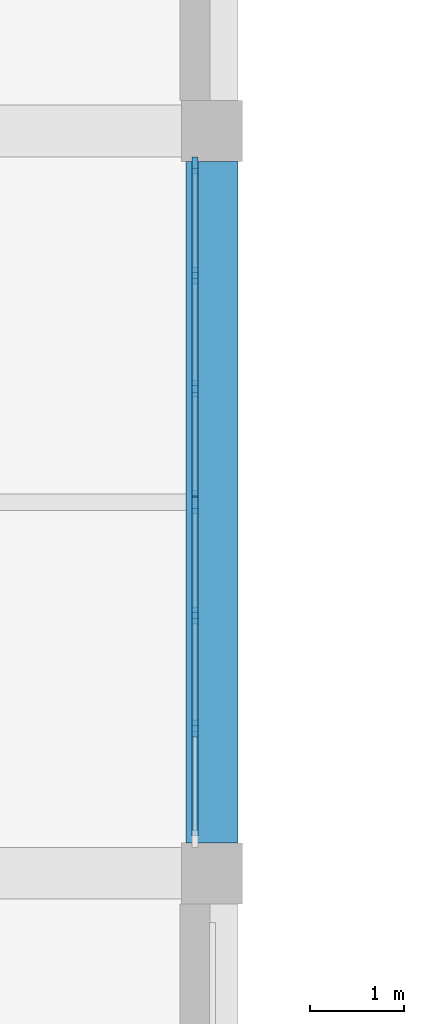
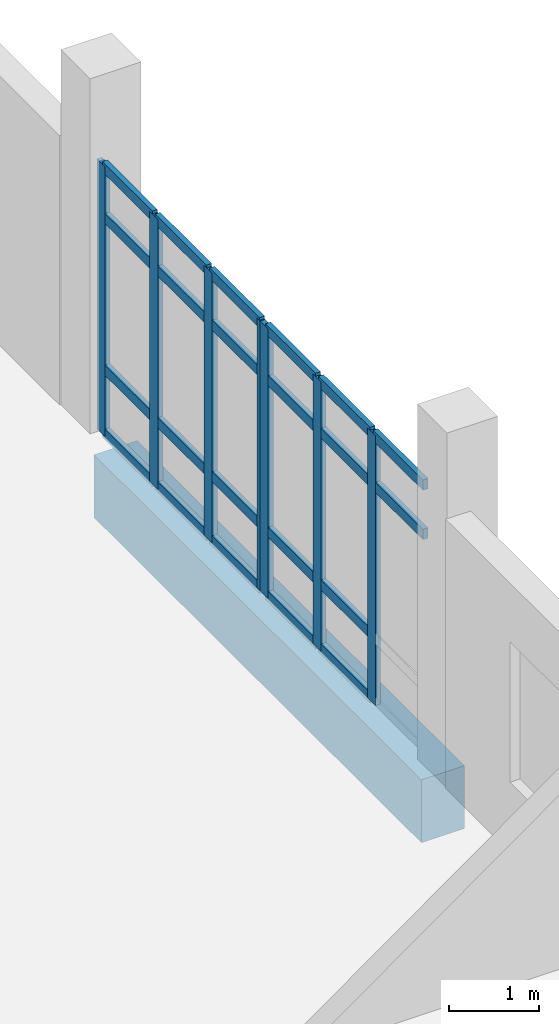
# One storey, part 11 of 90: 29 members, 1 beam, 2 elements without a shape of their own.
"""IFC4 building model written with IfcOpenShell, lengths in metres."""

import ifcopenshell
import ifcopenshell.guid

model = None  # the IFC model being written
_history = None  # IfcOwnerHistory: only IFC2X3 demands one
_inside = {}  # id of a spatial element -> (the spatial element, [elements in it])
_under = {}  # id of a project, library or spatial element -> (it, [spatial elements below it])
_declared = {}  # id of a project -> (the project, [libraries it declares])
_typed = {}  # id of a type object -> (the type object, [elements of that type])
_made_of = {}  # id of a material, layer set ... -> (it, [elements and type objects made of it])


def new_model(schema):
    """Start an empty IFC model of exactly this schema.

    Asked for "IFC4X3", IfcOpenShell would pick the latest addendum, in which some entities
    have other attributes; the version numbers below select the first issue.
    IFC2X3 requires an IfcOwnerHistory on every rooted entity: one is made here for all.
    """
    global model, _history
    if schema == "IFC4X3":
        model = ifcopenshell.file(schema_version=(4, 3, 0, 0))
    else:
        model = ifcopenshell.file(schema=schema)
    _inside.clear()
    _under.clear()
    _declared.clear()
    _typed.clear()
    _made_of.clear()
    _history = None
    if model.schema == "IFC2X3":
        org = make("IfcOrganization", Name="unknown")
        user = make(
            "IfcPersonAndOrganization",
            ThePerson=make("IfcPerson", FamilyName="unknown"),
            TheOrganization=org,
        )
        app = make(
            "IfcApplication",
            ApplicationDeveloper=org,
            Version="unknown",
            ApplicationFullName="unknown",
            ApplicationIdentifier="unknown",
        )
        _history = make(
            "IfcOwnerHistory",
            OwningUser=user,
            OwningApplication=app,
            ChangeAction="ADDED",
            CreationDate=0,
        )
    return model


def make(cls, **values):
    """One entity of the class cls with the attributes given. An attribute that is None is left unset."""
    return model.create_entity(
        cls, **{name: value for name, value in values.items() if value is not None}
    )


def rooted(cls, **values):
    """An entity with a GlobalId (a new one), such as an element, a storey or a relation."""
    return make(cls, GlobalId=ifcopenshell.guid.new(), OwnerHistory=_history, **values)


def si_unit(unit_type, name, prefix=None):
    """IfcSIUnit, for example si_unit("LENGTHUNIT", "METRE", prefix="MILLI")."""
    return make("IfcSIUnit", UnitType=unit_type, Prefix=prefix, Name=name)


def assignment(units):
    """IfcUnitAssignment: the units of a project."""
    return None if units is None else make("IfcUnitAssignment", Units=units)


def point(xyz):
    """IfcCartesianPoint."""
    return None if xyz is None else make("IfcCartesianPoint", Coordinates=xyz)


def direction(xyz):
    """IfcDirection."""
    return None if xyz is None else make("IfcDirection", DirectionRatios=xyz)


def frame(location, z_axis=None, x_axis=None):
    """IfcAxis2Placement3D, a coordinate frame: its origin and axes. An axis left out is left unset."""
    return make(
        "IfcAxis2Placement3D",
        Location=point(location),
        Axis=direction(z_axis),
        RefDirection=direction(x_axis),
    )


def frame_2d(location, x_axis=None):
    """IfcAxis2Placement2D, a coordinate frame in the plane: its origin and x axis."""
    return make(
        "IfcAxis2Placement2D", Location=point(location), RefDirection=direction(x_axis)
    )


def origin():
    """The frame at (0, 0, 0) with its axes left unset."""
    return frame((0.0, 0.0, 0.0))


def origin_2d():
    """The frame at (0, 0) in the plane with its x axis left unset."""
    return frame_2d((0.0, 0.0))


def place(relative_to, where):
    """IfcLocalPlacement: puts the frame where relative to a parent placement (None: the world)."""
    return make(
        "IfcLocalPlacement", PlacementRelTo=relative_to, RelativePlacement=where
    )


def context(
    kind, dimensions, precision=None, world=None, true_north=None, identifier=None
):
    """IfcGeometricRepresentationContext, for example the 3D "Model" context."""
    return make(
        "IfcGeometricRepresentationContext",
        ContextIdentifier=identifier,
        ContextType=kind,
        CoordinateSpaceDimension=dimensions,
        Precision=precision,
        WorldCoordinateSystem=world,
        TrueNorth=true_north,
    )


def subcontext(parent, identifier, kind, view, scale=None):
    """IfcGeometricRepresentationSubContext, for example "Body" below "Model"."""
    return make(
        "IfcGeometricRepresentationSubContext",
        ContextIdentifier=identifier,
        ContextType=kind,
        ParentContext=parent,
        TargetScale=scale,
        TargetView=view,
    )


def project(units=None, contexts=None):
    """IfcProject with its units and contexts."""
    return rooted(
        "IfcProject",
        Name="project",
        RepresentationContexts=contexts,
        UnitsInContext=assignment(units),
    )


def spatial(cls, under=None, at=None, **own):
    """A site, building, storey or space (cls), placed at a placement, below another one or the project."""
    s = rooted(cls, ObjectPlacement=at, **own)
    if under is not None:
        _under.setdefault(under.id(), (under, []))[1].append(s)
    return s


def profile(cls, at=None, kind="AREA", **sizes):
    """A parametric profile (cls). Its sizes go by their IFC names, for example OverallWidth=200.0."""
    return make(cls, ProfileType=kind, Position=at, **sizes)


def rectangle(**sizes):
    """IfcRectangleProfileDef."""
    return profile("IfcRectangleProfileDef", **sizes)


def extrude(swept, where, along, depth):
    """IfcExtrudedAreaSolid: the profile swept, set in the frame where, extruded along a direction by depth."""
    return make(
        "IfcExtrudedAreaSolid",
        SweptArea=swept,
        Position=where,
        ExtrudedDirection=direction(along),
        Depth=depth,
    )


def shape(context_of_items, identifier, shape_type, items):
    """IfcShapeRepresentation: the items that make up one representation, for example the "Body"."""
    return make(
        "IfcShapeRepresentation",
        ContextOfItems=context_of_items,
        RepresentationIdentifier=identifier,
        RepresentationType=shape_type,
        Items=items,
    )


def material(Name=None, Category=None):
    """IfcMaterial."""
    return make("IfcMaterial", Name=Name, Category=Category)


def layer(
    of_material, thickness, ventilated=None, Name=None, Category=None, Priority=None
):
    """IfcMaterialLayer: one layer of a wall or slab, of a material (None: an air gap)."""
    return make(
        "IfcMaterialLayer",
        Material=of_material,
        LayerThickness=thickness,
        IsVentilated=ventilated,
        Name=Name,
        Category=Category,
        Priority=Priority,
    )


def layer_set(layers, Name=None):
    """IfcMaterialLayerSet."""
    return make("IfcMaterialLayerSet", MaterialLayers=layers, LayerSetName=Name)


def material_profile(
    of_material, cross_section, Name=None, Category=None, Priority=None
):
    """IfcMaterialProfile: a cross section and its material."""
    return make(
        "IfcMaterialProfile",
        Name=Name,
        Material=of_material,
        Profile=cross_section,
        Priority=Priority,
        Category=Category,
    )


def profile_set(profiles, Name=None, composite=None):
    """IfcMaterialProfileSet."""
    return make(
        "IfcMaterialProfileSet",
        Name=Name,
        MaterialProfiles=profiles,
        CompositeProfile=composite,
    )


def made_of(thing, what):
    """Note that an element or type object is made of a material, layer set ...; save() writes the relation."""
    if what is not None:
        _made_of.setdefault(what.id(), (what, []))[1].append(thing)
    return thing


def type_object(cls, material=None, **own):
    """A type object (cls), such as IfcWallType, which elements share."""
    return made_of(rooted(cls, **own), material)


def element(
    cls,
    number,
    at=None,
    inside=None,
    cuts=None,
    type_object=None,
    material=None,
    context=None,
    identifier="Body",
    shape_type=None,
    held_by="IfcProductDefinitionShape",
    body=None,
    shapes=None,
    **own,
):
    """One element of the class cls, such as IfcWall. Its Tag is "e" and its number.

    at: its placement. inside: the storey or other place that contains it. cuts: it is an
    opening in that element (IfcRelVoidsElement). A single representation is given by context,
    identifier, shape_type and body (its items); several are given by shapes. held_by: the class
    of the entity that holds the representations. save() writes the other relations.
    """
    e = rooted(cls, Tag="e%d" % number, ObjectPlacement=at, **own)
    if body is not None:
        shapes = [shape(context, identifier, shape_type, body)]
    if shapes is not None:
        e.Representation = make(held_by, Representations=shapes)
    if inside is not None:
        _inside.setdefault(inside.id(), (inside, []))[1].append(e)
    if cuts is not None:
        rooted(
            "IfcRelVoidsElement", RelatingBuildingElement=cuts, RelatedOpeningElement=e
        )
    if type_object is not None:
        _typed.setdefault(type_object.id(), (type_object, []))[1].append(e)
    return made_of(e, material)


def aggregate(whole, parts):
    """IfcRelAggregates: a whole, such as a stair, and the parts it consists of."""
    return rooted("IfcRelAggregates", RelatingObject=whole, RelatedObjects=parts)


def save(model, path):
    """Write the relations noted so far, then the file.

    IfcRelAggregates (storeys below a building ...), IfcRelContainedInSpatialStructure (elements
    in a storey), IfcRelDefinesByType, IfcRelAssociatesMaterial and IfcRelDeclares: one each for
    every whole, place, type object, material and project.
    """
    for whole, parts in _under.values():
        aggregate(whole, parts)
    for where, things in _inside.values():
        rooted(
            "IfcRelContainedInSpatialStructure",
            RelatedElements=things,
            RelatingStructure=where,
        )
    for kind, things in _typed.values():
        rooted("IfcRelDefinesByType", RelatedObjects=things, RelatingType=kind)
    for what, things in _made_of.values():
        rooted("IfcRelAssociatesMaterial", RelatedObjects=things, RelatingMaterial=what)
    for by, libraries in _declared.values():
        rooted("IfcRelDeclares", RelatingContext=by, RelatedDefinitions=libraries)
    model.write(path)


model = new_model("IFC4")

# Units and contexts
model_context = context("Model", 3, precision=1e-05, world=origin(), true_north=direction((0.0, 1.0)))
body_context = subcontext(model_context, "Body", "Model", "MODEL_VIEW")
ifc_project = project(units=[si_unit("LENGTHUNIT", "METRE"), si_unit("AREAUNIT", "SQUARE_METRE"), si_unit("VOLUMEUNIT", "CUBIC_METRE"), si_unit("PLANEANGLEUNIT", "RADIAN"), si_unit("MASSUNIT", "GRAM", prefix="KILO")], contexts=[model_context])

# Site, building, storey
site_placement = place(None, origin())
site = spatial("IfcSite", under=ifc_project, at=site_placement, CompositionType="ELEMENT")
building_placement = place(site_placement, origin())
building = spatial("IfcBuilding", under=site, at=building_placement, Name="Kelarvand Opera House", CompositionType="ELEMENT")
storey_placement = place(building_placement, frame((0.0, 0.0, 5.39990234375)))
storey = spatial("IfcBuildingStorey", under=building, at=storey_placement, Name="L01", CompositionType="ELEMENT", Elevation=5.39990234375)

# Curtain wall, members
ifc_material_1 = material(Name="Thermally broken aluminium and low-E glazing", Category="aluminium")
ifc_layer = layer(ifc_material_1, 0.179931640625, Name="Thermally broken aluminium and low-E glazing", Category="aluminium")
ifc_layer_set = layer_set([ifc_layer], Name="Thermally broken aluminium and low-E glazing")
curtain_wall_type = type_object("IfcCurtainWallType", Name="Unitised Low-E Curtain Wall 3611x3650 Mod 1350 CWF-31", PredefinedType="USERDEFINED", material=ifc_layer_set)
curtain_wall_1_placement = place(storey_placement, origin())
curtain_wall_1 = element("IfcCurtainWall", 1, at=curtain_wall_1_placement, inside=storey, type_object=curtain_wall_type, Name="V4 L01 Curtain Wall CWF-31 (145)", ObjectType="UNITISED CURTAIN WALL", PredefinedType="USERDEFINED")
ifc_material_2 = material(Name="Thermally broken anodised aluminium", Category="aluminium")
ifc_material_profile_1 = material_profile(ifc_material_2, rectangle(XDim=0.06494140625, YDim=0.179931640625, at=origin_2d()), Name="ALU MULLION 65x180", Category="aluminium")
ifc_profile_set_1 = profile_set([ifc_material_profile_1], Name="Thermally broken anodised aluminium")
member_type_1 = type_object("IfcMemberType", Name="Curtain Wall Mullion 65x180 Aluminium", PredefinedType="MULLION", material=ifc_profile_set_1)
member_1_placement = place(storey_placement, frame((25.6201171875, 70.032470703125, 0.0), z_axis=(0.0, 0.0, 1.0), x_axis=(1.0, 0.0, 0.0)))
member_1 = element("IfcMember", 2, at=member_1_placement, type_object=member_type_1, Name="CWF-31 mullion 1", PredefinedType="MULLION", context=body_context, shape_type="SweptSolid", body=[
    extrude(rectangle(XDim=0.06494140625, YDim=0.179931640625, at=origin_2d()), origin(), (0.0, 0.0, 1.0), 3.650146484375),
])
member_2_placement = place(storey_placement, frame((25.6201171875, 68.861328125, 0.0), z_axis=(0.0, 0.0, 1.0), x_axis=(1.0, 0.0, 0.0)))
member_2 = element("IfcMember", 3, at=member_2_placement, type_object=member_type_1, Name="CWF-31 mullion 2", PredefinedType="MULLION", context=body_context, shape_type="SweptSolid", body=[
    extrude(rectangle(XDim=0.06494140625, YDim=0.179931640625, at=origin_2d()), origin(), (0.0, 0.0, 1.0), 3.650146484375),
])
member_3_placement = place(storey_placement, frame((25.6201171875, 67.65771484375, 0.0), z_axis=(0.0, 0.0, 1.0), x_axis=(1.0, 0.0, 0.0)))
member_3 = element("IfcMember", 4, at=member_3_placement, type_object=member_type_1, Name="CWF-31 mullion 3", PredefinedType="MULLION", context=body_context, shape_type="SweptSolid", body=[
    extrude(rectangle(XDim=0.06494140625, YDim=0.179931640625, at=origin_2d()), origin(), (0.0, 0.0, 1.0), 3.650146484375),
])
member_4_placement = place(storey_placement, frame((25.6201171875, 66.486572265625, 0.0), z_axis=(0.0, 0.0, 1.0), x_axis=(1.0, 0.0, 0.0)))
member_4 = element("IfcMember", 5, at=member_4_placement, type_object=member_type_1, Name="CWF-31 mullion 4", PredefinedType="MULLION", context=body_context, shape_type="SweptSolid", body=[
    extrude(rectangle(XDim=0.06494140625, YDim=0.179931640625, at=origin_2d()), origin(), (0.0, 0.0, 1.0), 3.650146484375),
])

curtain_wall_2_placement = place(storey_placement, origin())
curtain_wall_2 = element("IfcCurtainWall", 6, at=curtain_wall_2_placement, inside=storey, type_object=curtain_wall_type, Name="V4 L01 Curtain Wall CWF-31 (146)", ObjectType="UNITISED CURTAIN WALL", PredefinedType="USERDEFINED")
member_5_placement = place(storey_placement, frame((25.6201171875, 66.41748046875, 0.0), z_axis=(0.0, 0.0, 1.0), x_axis=(1.0, 0.0, 0.0)))
member_5 = element("IfcMember", 7, at=member_5_placement, type_object=member_type_1, Name="CWF-31 mullion 1", PredefinedType="MULLION", context=body_context, shape_type="SweptSolid", body=[
    extrude(rectangle(XDim=0.06494140625, YDim=0.179931640625, at=origin_2d()), origin(), (0.0, 0.0, 1.0), 3.650146484375),
])
member_6_placement = place(storey_placement, frame((25.6201171875, 65.2451171875, 0.0), z_axis=(0.0, 0.0, 1.0), x_axis=(1.0, 0.0, 0.0)))
member_6 = element("IfcMember", 8, at=member_6_placement, type_object=member_type_1, Name="CWF-31 mullion 2", PredefinedType="MULLION", context=body_context, shape_type="SweptSolid", body=[
    extrude(rectangle(XDim=0.06494140625, YDim=0.179931640625, at=origin_2d()), origin(), (0.0, 0.0, 1.0), 3.650146484375),
])
member_7_placement = place(storey_placement, frame((25.6201171875, 64.0400390625, 0.0), z_axis=(0.0, 0.0, 1.0), x_axis=(1.0, 0.0, 0.0)))
member_7 = element("IfcMember", 9, at=member_7_placement, type_object=member_type_1, Name="CWF-31 mullion 3", PredefinedType="MULLION", context=body_context, shape_type="SweptSolid", body=[
    extrude(rectangle(XDim=0.06494140625, YDim=0.179931640625, at=origin_2d()), origin(), (0.0, 0.0, 1.0), 3.650146484375),
])

# Member
ifc_material_profile_2 = material_profile(ifc_material_2, rectangle(XDim=0.06494140625, YDim=0.139892578125, at=origin_2d()), Name="ALU TRANSOM 65x140", Category="aluminium")
ifc_profile_set_2 = profile_set([ifc_material_profile_2], Name="Thermally broken anodised aluminium")
member_type_2 = type_object("IfcMemberType", Name="Curtain Wall Transom 65x140 Aluminium", PredefinedType="USERDEFINED", material=ifc_profile_set_2)
member_8_placement = place(storey_placement, frame((25.6201171875, 70.0, 0.03271484375), z_axis=(0.0, -1.0, 0.0), x_axis=(1.0, 0.0, 0.0)))
member_8 = element("IfcMember", 10, at=member_8_placement, type_object=member_type_2, Name="CWF-31 transom 1.1", ObjectType="TRANSOM", PredefinedType="USERDEFINED", context=body_context, shape_type="SweptSolid", body=[
    extrude(rectangle(XDim=0.06494140625, YDim=0.139892578125, at=origin_2d()), origin(), (0.0, 0.0, 1.0), 1.106201171875),
])

member_9_placement = place(storey_placement, frame((25.6201171875, 70.0, 0.900146484375), z_axis=(0.0, -1.0, 0.0), x_axis=(1.0, 0.0, 0.0)))
member_9 = element("IfcMember", 11, at=member_9_placement, type_object=member_type_2, Name="CWF-31 transom 1.2", ObjectType="TRANSOM", PredefinedType="USERDEFINED", context=body_context, shape_type="SweptSolid", body=[
    extrude(rectangle(XDim=0.06494140625, YDim=0.139892578125, at=origin_2d()), origin(), (0.0, 0.0, 1.0), 1.106201171875),
])

member_10_placement = place(storey_placement, frame((25.6201171875, 70.0, 2.9501953125), z_axis=(0.0, -1.0, 0.0), x_axis=(1.0, 0.0, 0.0)))
member_10 = element("IfcMember", 12, at=member_10_placement, type_object=member_type_2, Name="CWF-31 transom 1.3", ObjectType="TRANSOM", PredefinedType="USERDEFINED", context=body_context, shape_type="SweptSolid", body=[
    extrude(rectangle(XDim=0.06494140625, YDim=0.139892578125, at=origin_2d()), origin(), (0.0, 0.0, 1.0), 1.106201171875),
])

member_11_placement = place(storey_placement, frame((25.6201171875, 70.0, 3.61767578125), z_axis=(0.0, -1.0, 0.0), x_axis=(1.0, 0.0, 0.0)))
member_11 = element("IfcMember", 13, at=member_11_placement, type_object=member_type_2, Name="CWF-31 transom 1.4", ObjectType="TRANSOM", PredefinedType="USERDEFINED", context=body_context, shape_type="SweptSolid", body=[
    extrude(rectangle(XDim=0.06494140625, YDim=0.139892578125, at=origin_2d()), origin(), (0.0, 0.0, 1.0), 1.106201171875),
])

member_12_placement = place(storey_placement, frame((25.6201171875, 68.828857421875, 0.03271484375), z_axis=(0.0, -1.0, 0.0), x_axis=(1.0, 0.0, 0.0)))
member_12 = element("IfcMember", 14, at=member_12_placement, type_object=member_type_2, Name="CWF-31 transom 2.1", ObjectType="TRANSOM", PredefinedType="USERDEFINED", context=body_context, shape_type="SweptSolid", body=[
    extrude(rectangle(XDim=0.06494140625, YDim=0.139892578125, at=origin_2d()), origin(), (0.0, 0.0, 1.0), 1.138671875),
])

member_13_placement = place(storey_placement, frame((25.6201171875, 68.828857421875, 0.900146484375), z_axis=(0.0, -1.0, 0.0), x_axis=(1.0, 0.0, 0.0)))
member_13 = element("IfcMember", 15, at=member_13_placement, type_object=member_type_2, Name="CWF-31 transom 2.2", ObjectType="TRANSOM", PredefinedType="USERDEFINED", context=body_context, shape_type="SweptSolid", body=[
    extrude(rectangle(XDim=0.06494140625, YDim=0.139892578125, at=origin_2d()), origin(), (0.0, 0.0, 1.0), 1.138671875),
])

member_14_placement = place(storey_placement, frame((25.6201171875, 68.828857421875, 2.9501953125), z_axis=(0.0, -1.0, 0.0), x_axis=(1.0, 0.0, 0.0)))
member_14 = element("IfcMember", 16, at=member_14_placement, type_object=member_type_2, Name="CWF-31 transom 2.3", ObjectType="TRANSOM", PredefinedType="USERDEFINED", context=body_context, shape_type="SweptSolid", body=[
    extrude(rectangle(XDim=0.06494140625, YDim=0.139892578125, at=origin_2d()), origin(), (0.0, 0.0, 1.0), 1.138671875),
])

member_15_placement = place(storey_placement, frame((25.6201171875, 68.828857421875, 3.61767578125), z_axis=(0.0, -1.0, 0.0), x_axis=(1.0, 0.0, 0.0)))
member_15 = element("IfcMember", 17, at=member_15_placement, type_object=member_type_2, Name="CWF-31 transom 2.4", ObjectType="TRANSOM", PredefinedType="USERDEFINED", context=body_context, shape_type="SweptSolid", body=[
    extrude(rectangle(XDim=0.06494140625, YDim=0.139892578125, at=origin_2d()), origin(), (0.0, 0.0, 1.0), 1.138671875),
])

member_16_placement = place(storey_placement, frame((25.6201171875, 67.625244140625, 0.03271484375), z_axis=(0.0, -1.0, 0.0), x_axis=(1.0, 0.0, 0.0)))
member_16 = element("IfcMember", 18, at=member_16_placement, type_object=member_type_2, Name="CWF-31 transom 3.1", ObjectType="TRANSOM", PredefinedType="USERDEFINED", context=body_context, shape_type="SweptSolid", body=[
    extrude(rectangle(XDim=0.06494140625, YDim=0.139892578125, at=origin_2d()), origin(), (0.0, 0.0, 1.0), 1.106201171875),
])

member_17_placement = place(storey_placement, frame((25.6201171875, 67.625244140625, 0.900146484375), z_axis=(0.0, -1.0, 0.0), x_axis=(1.0, 0.0, 0.0)))
member_17 = element("IfcMember", 19, at=member_17_placement, type_object=member_type_2, Name="CWF-31 transom 3.2", ObjectType="TRANSOM", PredefinedType="USERDEFINED", context=body_context, shape_type="SweptSolid", body=[
    extrude(rectangle(XDim=0.06494140625, YDim=0.139892578125, at=origin_2d()), origin(), (0.0, 0.0, 1.0), 1.106201171875),
])

member_18_placement = place(storey_placement, frame((25.6201171875, 67.625244140625, 2.9501953125), z_axis=(0.0, -1.0, 0.0), x_axis=(1.0, 0.0, 0.0)))
member_18 = element("IfcMember", 20, at=member_18_placement, type_object=member_type_2, Name="CWF-31 transom 3.3", ObjectType="TRANSOM", PredefinedType="USERDEFINED", context=body_context, shape_type="SweptSolid", body=[
    extrude(rectangle(XDim=0.06494140625, YDim=0.139892578125, at=origin_2d()), origin(), (0.0, 0.0, 1.0), 1.106201171875),
])

member_19_placement = place(storey_placement, frame((25.6201171875, 67.625244140625, 3.61767578125), z_axis=(0.0, -1.0, 0.0), x_axis=(1.0, 0.0, 0.0)))
member_19 = element("IfcMember", 21, at=member_19_placement, type_object=member_type_2, Name="CWF-31 transom 3.4", ObjectType="TRANSOM", PredefinedType="USERDEFINED", context=body_context, shape_type="SweptSolid", body=[
    extrude(rectangle(XDim=0.06494140625, YDim=0.139892578125, at=origin_2d()), origin(), (0.0, 0.0, 1.0), 1.106201171875),
])

aggregate(curtain_wall_1, [member_1, member_2, member_3, member_4, member_8, member_9, member_10, member_11, member_12, member_13, member_14, member_15, member_16, member_17, member_18, member_19])

member_20_placement = place(storey_placement, frame((25.6201171875, 66.385009765625, 0.03271484375), z_axis=(0.0, -1.0, 0.0), x_axis=(1.0, 0.0, 0.0)))
member_20 = element("IfcMember", 22, at=member_20_placement, type_object=member_type_2, Name="CWF-31 transom 1.1", ObjectType="TRANSOM", PredefinedType="USERDEFINED", context=body_context, shape_type="SweptSolid", body=[
    extrude(rectangle(XDim=0.06494140625, YDim=0.139892578125, at=origin_2d()), origin(), (0.0, 0.0, 1.0), 1.107421875),
])

member_21_placement = place(storey_placement, frame((25.6201171875, 66.385009765625, 0.900146484375), z_axis=(0.0, -1.0, 0.0), x_axis=(1.0, 0.0, 0.0)))
member_21 = element("IfcMember", 23, at=member_21_placement, type_object=member_type_2, Name="CWF-31 transom 1.2", ObjectType="TRANSOM", PredefinedType="USERDEFINED", context=body_context, shape_type="SweptSolid", body=[
    extrude(rectangle(XDim=0.06494140625, YDim=0.139892578125, at=origin_2d()), origin(), (0.0, 0.0, 1.0), 1.107421875),
])

member_22_placement = place(storey_placement, frame((25.6201171875, 66.385009765625, 2.9501953125), z_axis=(0.0, -1.0, 0.0), x_axis=(1.0, 0.0, 0.0)))
member_22 = element("IfcMember", 24, at=member_22_placement, type_object=member_type_2, Name="CWF-31 transom 1.3", ObjectType="TRANSOM", PredefinedType="USERDEFINED", context=body_context, shape_type="SweptSolid", body=[
    extrude(rectangle(XDim=0.06494140625, YDim=0.139892578125, at=origin_2d()), origin(), (0.0, 0.0, 1.0), 1.107421875),
])

member_23_placement = place(storey_placement, frame((25.6201171875, 66.385009765625, 3.61767578125), z_axis=(0.0, -1.0, 0.0), x_axis=(1.0, 0.0, 0.0)))
member_23 = element("IfcMember", 25, at=member_23_placement, type_object=member_type_2, Name="CWF-31 transom 1.4", ObjectType="TRANSOM", PredefinedType="USERDEFINED", context=body_context, shape_type="SweptSolid", body=[
    extrude(rectangle(XDim=0.06494140625, YDim=0.139892578125, at=origin_2d()), origin(), (0.0, 0.0, 1.0), 1.107421875),
])

member_24_placement = place(storey_placement, frame((25.6201171875, 65.21240234375, 0.03271484375), z_axis=(0.0, -1.0, 0.0), x_axis=(1.0, 0.0, 0.0)))
member_24 = element("IfcMember", 26, at=member_24_placement, type_object=member_type_2, Name="CWF-31 transom 2.1", ObjectType="TRANSOM", PredefinedType="USERDEFINED", context=body_context, shape_type="SweptSolid", body=[
    extrude(rectangle(XDim=0.06494140625, YDim=0.139892578125, at=origin_2d()), origin(), (0.0, 0.0, 1.0), 1.139892578125),
])

member_25_placement = place(storey_placement, frame((25.6201171875, 65.21240234375, 0.900146484375), z_axis=(0.0, -1.0, 0.0), x_axis=(1.0, 0.0, 0.0)))
member_25 = element("IfcMember", 27, at=member_25_placement, type_object=member_type_2, Name="CWF-31 transom 2.2", ObjectType="TRANSOM", PredefinedType="USERDEFINED", context=body_context, shape_type="SweptSolid", body=[
    extrude(rectangle(XDim=0.06494140625, YDim=0.139892578125, at=origin_2d()), origin(), (0.0, 0.0, 1.0), 1.139892578125),
])

member_26_placement = place(storey_placement, frame((25.6201171875, 65.21240234375, 2.9501953125), z_axis=(0.0, -1.0, 0.0), x_axis=(1.0, 0.0, 0.0)))
member_26 = element("IfcMember", 28, at=member_26_placement, type_object=member_type_2, Name="CWF-31 transom 2.3", ObjectType="TRANSOM", PredefinedType="USERDEFINED", context=body_context, shape_type="SweptSolid", body=[
    extrude(rectangle(XDim=0.06494140625, YDim=0.139892578125, at=origin_2d()), origin(), (0.0, 0.0, 1.0), 1.139892578125),
])

member_27_placement = place(storey_placement, frame((25.6201171875, 65.21240234375, 3.61767578125), z_axis=(0.0, -1.0, 0.0), x_axis=(1.0, 0.0, 0.0)))
member_27 = element("IfcMember", 29, at=member_27_placement, type_object=member_type_2, Name="CWF-31 transom 2.4", ObjectType="TRANSOM", PredefinedType="USERDEFINED", context=body_context, shape_type="SweptSolid", body=[
    extrude(rectangle(XDim=0.06494140625, YDim=0.139892578125, at=origin_2d()), origin(), (0.0, 0.0, 1.0), 1.139892578125),
])

member_28_placement = place(storey_placement, frame((25.6201171875, 64.007568359375, 2.9501953125), z_axis=(0.0, -1.0, 0.0), x_axis=(1.0, 0.0, 0.0)))
member_28 = element("IfcMember", 30, at=member_28_placement, type_object=member_type_2, Name="CWF-31 transom 3.3", ObjectType="TRANSOM", PredefinedType="USERDEFINED", context=body_context, shape_type="SweptSolid", body=[
    extrude(rectangle(XDim=0.06494140625, YDim=0.139892578125, at=origin_2d()), origin(), (0.0, 0.0, 1.0), 1.107666015625),
])

member_29_placement = place(storey_placement, frame((25.6201171875, 64.007568359375, 3.61767578125), z_axis=(0.0, -1.0, 0.0), x_axis=(1.0, 0.0, 0.0)))
member_29 = element("IfcMember", 31, at=member_29_placement, type_object=member_type_2, Name="CWF-31 transom 3.4", ObjectType="TRANSOM", PredefinedType="USERDEFINED", context=body_context, shape_type="SweptSolid", body=[
    extrude(rectangle(XDim=0.06494140625, YDim=0.139892578125, at=origin_2d()), origin(), (0.0, 0.0, 1.0), 1.107666015625),
])

aggregate(curtain_wall_2, [member_5, member_6, member_7, member_20, member_21, member_22, member_23, member_24, member_25, member_26, member_27, member_28, member_29])

# Beam
ifc_material_3 = material(Name="Concrete C40/50", Category="concrete")
ifc_material_profile_3 = material_profile(ifc_material_3, rectangle(XDim=0.550048828125, YDim=0.85009765625, at=origin_2d()), Name="RC 550x850", Category="concrete")
ifc_profile_set_3 = profile_set([ifc_material_profile_3], Name="Concrete C40/50")
beam_type = type_object("IfcBeamType", Name="Structural Beam RC 550x850 BM-RC550x850", PredefinedType="BEAM", material=ifc_profile_set_3)
beam_placement = place(storey_placement, frame((25.800048828125, 62.824951171875, -0.724853515625), z_axis=(0.0, 1.0, 0.0), x_axis=(-1.0, 0.0, 0.0)))
element("IfcBeam", 32, at=beam_placement, inside=storey, type_object=beam_type, Name="V4 L01 Beam BM-RC550x850", PredefinedType="BEAM", context=body_context, shape_type="SweptSolid", body=[
    extrude(rectangle(XDim=0.550048828125, YDim=0.85009765625, at=origin_2d()), origin(), (0.0, 0.0, 1.0), 7.25),
])

save(model, "model.ifc")
